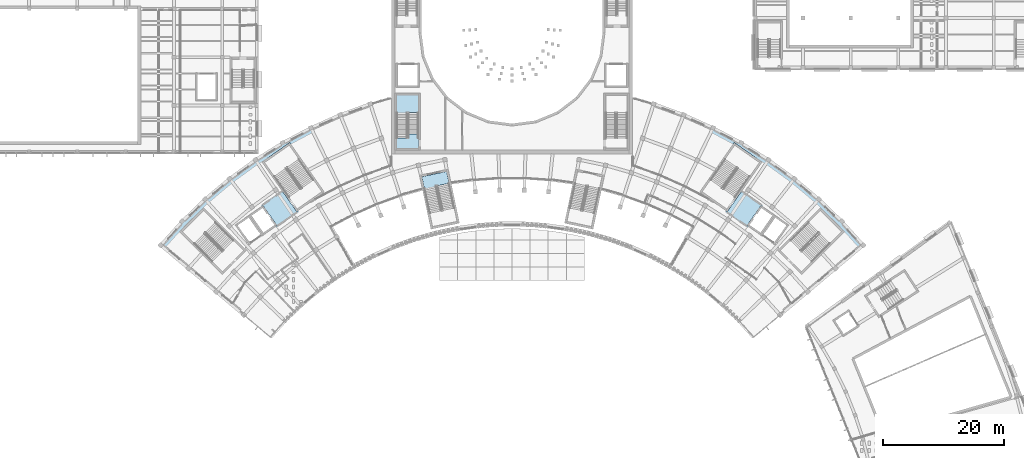
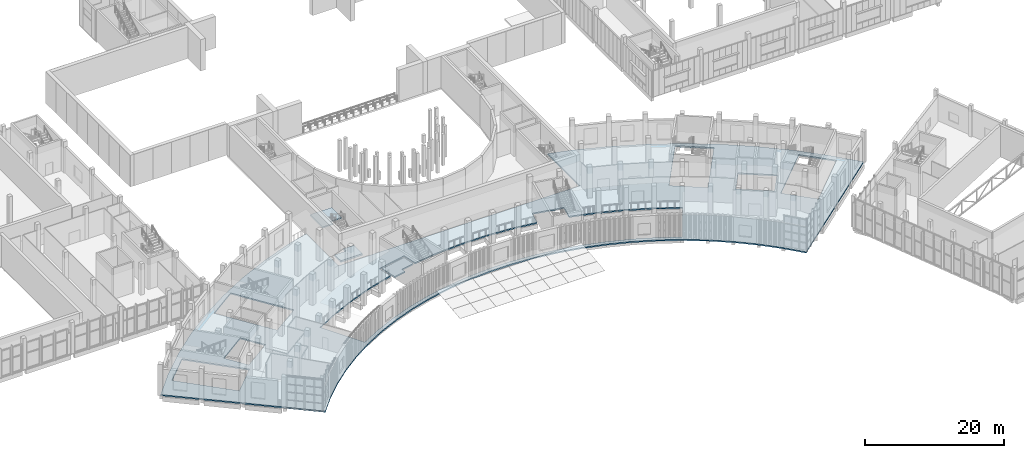
# One storey, part 45 of 112: 4 slabs, 1 element without a shape of its own.
"""IFC4 building model written with IfcOpenShell, lengths in metres."""

from ifc_helpers import new_model, si_unit, direction, frame, origin, place, context, subcontext, project, spatial, polyline, outline, extrude, material, layer, layer_set, type_object, element, aggregate, save


model = new_model("IFC4")

# Units and contexts
model_context = context("Model", 3, precision=1e-05, world=origin(), true_north=direction((0.0, 1.0)))
body_context = subcontext(model_context, "Body", "Model", "MODEL_VIEW")
ifc_project = project(units=[si_unit("LENGTHUNIT", "METRE"), si_unit("AREAUNIT", "SQUARE_METRE"), si_unit("VOLUMEUNIT", "CUBIC_METRE"), si_unit("PLANEANGLEUNIT", "RADIAN"), si_unit("MASSUNIT", "GRAM", prefix="KILO")], contexts=[model_context])

# Site, building, storey
site_placement = place(None, origin())
site = spatial("IfcSite", under=ifc_project, at=site_placement, CompositionType="ELEMENT")
building_placement = place(site_placement, origin())
building = spatial("IfcBuilding", under=site, at=building_placement, Name="Lunette Opera House", CompositionType="ELEMENT")
storey_placement = place(building_placement, frame((0.0, 0.0, 6.0)))
storey = spatial("IfcBuildingStorey", under=building, at=storey_placement, Name="L01", CompositionType="ELEMENT", Elevation=6.0)

# Slabs
ifc_material_1 = material(Name="Concrete C35/45", Category="concrete")
ifc_layer_1 = layer(ifc_material_1, 0.219970703125)
ifc_layer_set_1 = layer_set([ifc_layer_1], Name="Concrete C35/45")
slab_type_1 = type_object("IfcSlabType", Name="CORE LANDING SLAB 220", PredefinedType="LANDING", material=ifc_layer_set_1)
slab_1_placement = place(storey_placement, frame((0.0, 0.0, -0.219970703125)))
element("IfcSlab", 1, at=slab_1_placement, inside=storey, type_object=slab_type_1, Name="GS1 floor landing", PredefinedType="LANDING", context=body_context, shape_type="SweptSolid", body=[
    extrude(outline(polyline([(85.1640625, 61.08203125), (85.58203125, 59.115966796875), (83.625, 58.699951171875), (83.623046875, 58.7099609375), (83.427978515625, 58.6689453125), (83.572998046875, 57.98388671875), (81.616943359375, 57.568115234375), (81.055908203125, 60.208984375), (85.1640625, 61.08203125)])), origin(), (0.0, 0.0, 1.0), 0.219970703125),
])
ifc_material_2 = material(Name="Concrete C35/45", Category="concrete")
ifc_layer_2 = layer(ifc_material_2, 0.300048828125)
ifc_layer_set_2 = layer_set([ifc_layer_2], Name="Concrete C35/45")
slab_type_2 = type_object("IfcSlabType", Name="CORE LANDING SLAB 300", PredefinedType="LANDING", material=ifc_layer_set_2)
slab_2_placement = place(storey_placement, frame((0.0, 0.0, -0.300048828125)))
element("IfcSlab", 2, at=slab_2_placement, inside=storey, type_object=slab_type_2, Name="ST7 floor landing", PredefinedType="LANDING", context=body_context, shape_type="SweptSolid", body=[
    extrude(outline(polyline([(76.89990234375, 64.89990234375), (76.89990234375, 66.6298828125), (78.6201171875, 66.6298828125), (78.6201171875, 66.6201171875), (78.780029296875, 66.6201171875), (78.780029296875, 67.320068359375), (80.5, 67.320068359375), (80.5, 64.89990234375), (76.89990234375, 64.89990234375)])), origin(), (0.0, 0.0, 1.0), 0.300048828125),
])
ifc_material_3 = material(Name="Concrete C35/45", Category="concrete")
ifc_layer_3 = layer(ifc_material_3, 0.219970703125)
ifc_layer_set_3 = layer_set([ifc_layer_3], Name="Concrete C35/45")
slab_type_3 = type_object("IfcSlabType", Name="FLOOR SLAB 220", PredefinedType="FLOOR", material=ifc_layer_set_3)
slab_3_placement = place(storey_placement, frame((0.0, 0.0, -0.219970703125)))
element("IfcSlab", 3, at=slab_3_placement, inside=storey, type_object=slab_type_3, Name="slab-FC-L01-F1", PredefinedType="FLOOR", context=body_context, shape_type="SweptSolid", body=[
    extrude(outline(polyline([(130.794921875, 38.64404296875), (133.406005859375, 36.1220703125), (135.833984375, 33.425048828125), (145.027099609375, 41.137939453125), (154.218994140625, 48.85205078125), (150.669921875, 52.7939453125), (146.85400390625, 56.47900390625), (142.7900390625, 59.888916015625), (138.4990234375, 63.007080078125), (134.0, 65.818115234375), (129.31591796875, 68.30810546875), (124.469970703125, 70.466064453125), (119.485107421875, 72.280029296875), (116.0, 73.280029296875), (116.0, 64.0), (76.0, 64.0), (76.0, 73.280029296875), (72.514892578125, 72.280029296875), (67.530029296875, 70.466064453125), (62.68408203125, 68.30810546875), (58.0, 65.818115234375), (53.5009765625, 63.007080078125), (49.2099609375, 59.888916015625), (45.14599609375, 56.47900390625), (41.330078125, 52.7939453125), (37.781005859375, 48.85205078125), (46.972900390625, 41.137939453125), (56.166015625, 33.425048828125), (58.593994140625, 36.1220703125), (61.205078125, 38.64404296875), (63.986083984375, 40.97705078125), (66.922119140625, 43.110107421875), (70.0, 45.032958984375), (73.205078125, 46.737060546875), (76.52001953125, 48.214111328125), (79.930908203125, 49.455078125), (83.419921875, 50.455078125), (86.969970703125, 51.2099609375), (90.56494140625, 51.715087890625), (94.18505859375, 51.968017578125), (97.81494140625, 51.968017578125), (101.43505859375, 51.715087890625), (105.030029296875, 51.2099609375), (108.580078125, 50.455078125), (112.069091796875, 49.455078125), (115.47998046875, 48.214111328125), (118.794921875, 46.737060546875), (122.0, 45.032958984375), (125.077880859375, 43.110107421875), (128.013916015625, 40.97705078125), (130.794921875, 38.64404296875)]), holes=[polyline([(72.94189453125, 47.277099609375), (69.699951171875, 45.552978515625), (66.0, 51.9619140625), (69.697998046875, 53.927978515625), (73.52392578125, 55.631103515625), (77.458984375, 57.06298828125), (81.18994140625, 58.133056640625), (80.699951171875, 60.43994140625), (85.39501953125, 61.43798828125), (85.885009765625, 59.131103515625), (89.72802734375, 59.6708984375), (93.906005859375, 59.962890625), (98.093994140625, 59.962890625), (102.27197265625, 59.6708984375), (106.114990234375, 59.131103515625), (106.60498046875, 61.43798828125), (111.300048828125, 60.43994140625), (110.81005859375, 58.133056640625), (114.541015625, 57.06298828125), (118.47607421875, 55.631103515625), (122.302001953125, 53.927978515625), (126.0, 51.9619140625), (122.300048828125, 45.552978515625), (119.05810546875, 47.277099609375), (115.7041015625, 48.77001953125), (112.25390625, 50.02587890625), (108.72509765625, 51.0380859375), (105.134033203125, 51.801025390625), (101.498046875, 52.31201171875), (97.8359375, 52.568115234375), (94.1640625, 52.568115234375), (90.501953125, 52.31201171875), (86.865966796875, 51.801025390625), (83.27490234375, 51.0380859375), (79.74609375, 50.02587890625), (76.2958984375, 48.77001953125), (72.94189453125, 47.277099609375)]), polyline([(44.912109375, 55.048095703125), (51.98291015625, 47.97705078125), (48.02294921875, 44.01708984375), (40.951904296875, 51.087890625), (44.912109375, 55.048095703125)]), polyline([(151.048095703125, 51.087890625), (143.97705078125, 44.01708984375), (140.01708984375, 47.97705078125), (147.087890625, 55.048095703125), (151.048095703125, 51.087890625)]), polyline([(50.1689453125, 52.202880859375), (52.462890625, 53.80908203125), (54.756103515625, 55.4150390625), (57.051025390625, 52.138916015625), (54.757080078125, 50.532958984375), (52.462890625, 48.927001953125), (50.1689453125, 52.202880859375)]), polyline([(139.537109375, 48.927001953125), (137.242919921875, 50.532958984375), (134.948974609375, 52.138916015625), (137.243896484375, 55.4150390625), (139.537109375, 53.80908203125), (141.8310546875, 52.202880859375), (139.537109375, 48.927001953125)]), polyline([(59.178955078125, 65.8369140625), (64.9140625, 57.64501953125), (60.326904296875, 54.43310546875), (54.591064453125, 62.625), (59.178955078125, 65.8369140625)]), polyline([(131.673095703125, 54.43310546875), (127.0859375, 57.64501953125), (132.821044921875, 65.8369140625), (137.408935546875, 62.625), (131.673095703125, 54.43310546875)])]), origin(), (0.0, 0.0, 1.0), 0.219970703125),
])

# Stair, slab
ifc_material_4 = material(Name="Concrete C35/45", Category="concrete")
stair_type = type_object("IfcStairType", Name="DOGLEG STAIR 1720", PredefinedType="HALF_TURN_STAIR", material=ifc_material_4)
stair_placement = place(storey_placement, origin())
stair = element("IfcStair", 4, at=stair_placement, inside=storey, type_object=stair_type, Name="L01 stair ST7", PredefinedType="HALF_TURN_STAIR")
ifc_material_5 = material(Name="Concrete C35/45", Category="concrete")
ifc_layer_4 = layer(ifc_material_5, 0.199951171875)
ifc_layer_set_4 = layer_set([ifc_layer_4], Name="Concrete C35/45")
slab_type_4 = type_object("IfcSlabType", Name="STAIR LANDING SLAB 200", PredefinedType="LANDING", material=ifc_layer_set_4)
slab_4_placement = place(storey_placement, frame((0.0, 0.0, 2.550048828125)))
slab_4 = element("IfcSlab", 5, at=slab_4_placement, type_object=slab_type_4, Name="ST7 landing 1", PredefinedType="LANDING", context=body_context, shape_type="SweptSolid", body=[
    extrude(outline(polyline([(80.5, 70.81005859375), (78.780029296875, 70.81005859375), (78.780029296875, 70.820068359375), (78.6201171875, 70.820068359375), (78.6201171875, 70.1201171875), (76.89990234375, 70.1201171875), (76.89990234375, 73.699951171875), (80.5, 73.699951171875), (80.5, 70.81005859375)])), origin(), (0.0, 0.0, 1.0), 0.199951171875),
])
aggregate(stair, [slab_4])

save(model, "model.ifc")
